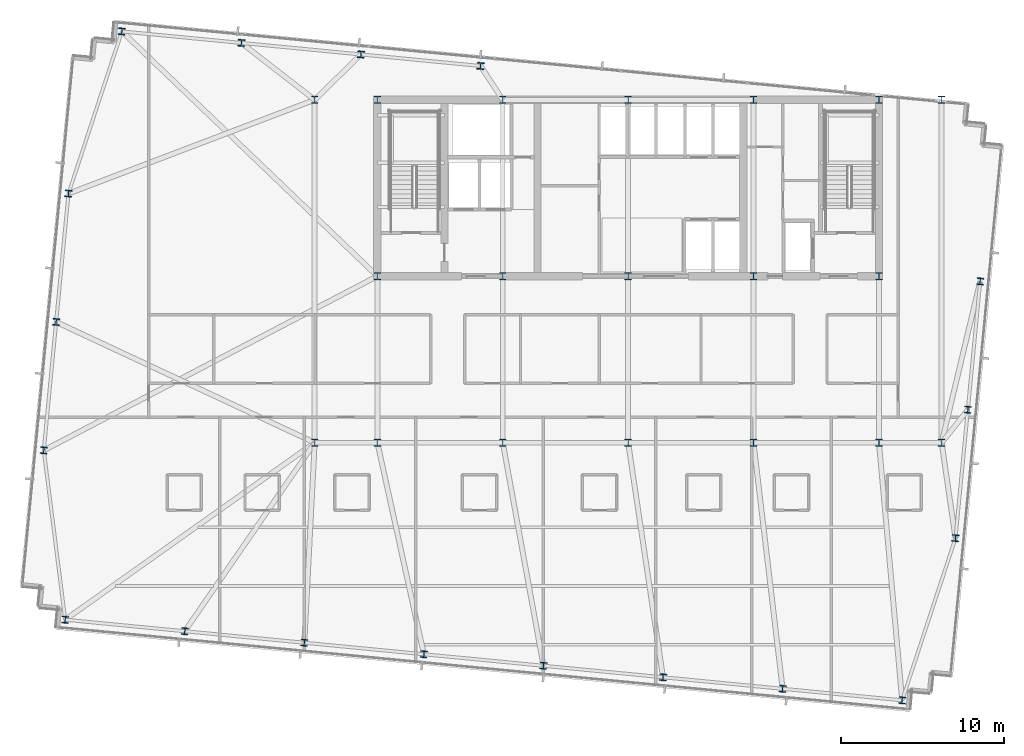
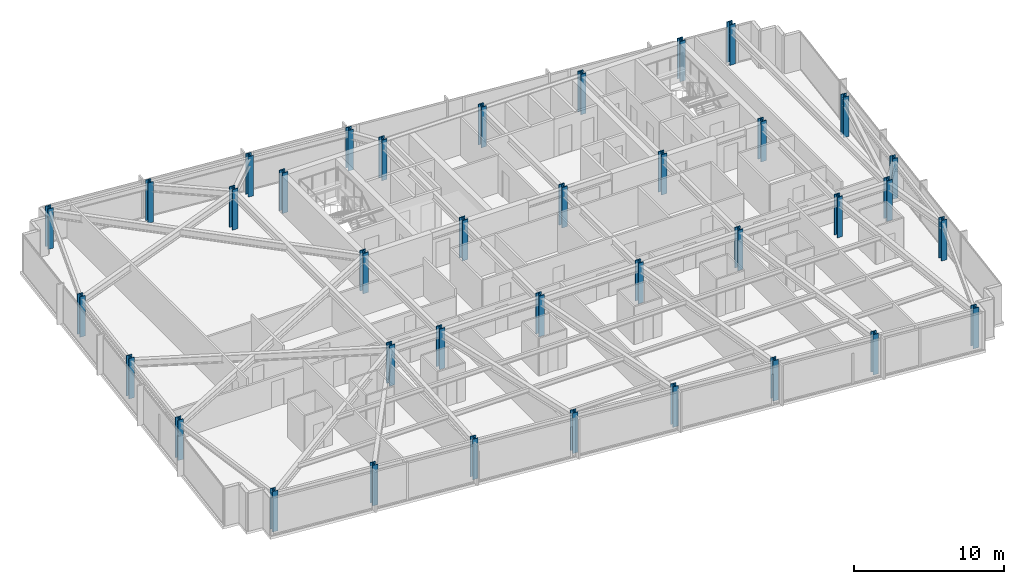
# One storey, part 1 of 38: 37 columns.
"""IFC4 building model written with IfcOpenShell, lengths in metres."""

import ifcopenshell
import ifcopenshell.guid

model = None  # the IFC model being written
_history = None  # IfcOwnerHistory: only IFC2X3 demands one
_inside = {}  # id of a spatial element -> (the spatial element, [elements in it])
_under = {}  # id of a project, library or spatial element -> (it, [spatial elements below it])
_declared = {}  # id of a project -> (the project, [libraries it declares])
_typed = {}  # id of a type object -> (the type object, [elements of that type])
_made_of = {}  # id of a material, layer set ... -> (it, [elements and type objects made of it])


def new_model(schema):
    """Start an empty IFC model of exactly this schema.

    Asked for "IFC4X3", IfcOpenShell would pick the latest addendum, in which some entities
    have other attributes; the version numbers below select the first issue.
    IFC2X3 requires an IfcOwnerHistory on every rooted entity: one is made here for all.
    """
    global model, _history
    if schema == "IFC4X3":
        model = ifcopenshell.file(schema_version=(4, 3, 0, 0))
    else:
        model = ifcopenshell.file(schema=schema)
    _inside.clear()
    _under.clear()
    _declared.clear()
    _typed.clear()
    _made_of.clear()
    _history = None
    if model.schema == "IFC2X3":
        org = make("IfcOrganization", Name="unknown")
        user = make(
            "IfcPersonAndOrganization",
            ThePerson=make("IfcPerson", FamilyName="unknown"),
            TheOrganization=org,
        )
        app = make(
            "IfcApplication",
            ApplicationDeveloper=org,
            Version="unknown",
            ApplicationFullName="unknown",
            ApplicationIdentifier="unknown",
        )
        _history = make(
            "IfcOwnerHistory",
            OwningUser=user,
            OwningApplication=app,
            ChangeAction="ADDED",
            CreationDate=0,
        )
    return model


def make(cls, **values):
    """One entity of the class cls with the attributes given. An attribute that is None is left unset."""
    return model.create_entity(
        cls, **{name: value for name, value in values.items() if value is not None}
    )


def rooted(cls, **values):
    """An entity with a GlobalId (a new one), such as an element, a storey or a relation."""
    return make(cls, GlobalId=ifcopenshell.guid.new(), OwnerHistory=_history, **values)


def si_unit(unit_type, name, prefix=None):
    """IfcSIUnit, for example si_unit("LENGTHUNIT", "METRE", prefix="MILLI")."""
    return make("IfcSIUnit", UnitType=unit_type, Prefix=prefix, Name=name)


def assignment(units):
    """IfcUnitAssignment: the units of a project."""
    return None if units is None else make("IfcUnitAssignment", Units=units)


def point(xyz):
    """IfcCartesianPoint."""
    return None if xyz is None else make("IfcCartesianPoint", Coordinates=xyz)


def direction(xyz):
    """IfcDirection."""
    return None if xyz is None else make("IfcDirection", DirectionRatios=xyz)


def frame(location, z_axis=None, x_axis=None):
    """IfcAxis2Placement3D, a coordinate frame: its origin and axes. An axis left out is left unset."""
    return make(
        "IfcAxis2Placement3D",
        Location=point(location),
        Axis=direction(z_axis),
        RefDirection=direction(x_axis),
    )


def frame_2d(location, x_axis=None):
    """IfcAxis2Placement2D, a coordinate frame in the plane: its origin and x axis."""
    return make(
        "IfcAxis2Placement2D", Location=point(location), RefDirection=direction(x_axis)
    )


def origin():
    """The frame at (0, 0, 0) with its axes left unset."""
    return frame((0.0, 0.0, 0.0))


def origin_2d():
    """The frame at (0, 0) in the plane with its x axis left unset."""
    return frame_2d((0.0, 0.0))


def place(relative_to, where):
    """IfcLocalPlacement: puts the frame where relative to a parent placement (None: the world)."""
    return make(
        "IfcLocalPlacement", PlacementRelTo=relative_to, RelativePlacement=where
    )


def context(
    kind, dimensions, precision=None, world=None, true_north=None, identifier=None
):
    """IfcGeometricRepresentationContext, for example the 3D "Model" context."""
    return make(
        "IfcGeometricRepresentationContext",
        ContextIdentifier=identifier,
        ContextType=kind,
        CoordinateSpaceDimension=dimensions,
        Precision=precision,
        WorldCoordinateSystem=world,
        TrueNorth=true_north,
    )


def subcontext(parent, identifier, kind, view, scale=None):
    """IfcGeometricRepresentationSubContext, for example "Body" below "Model"."""
    return make(
        "IfcGeometricRepresentationSubContext",
        ContextIdentifier=identifier,
        ContextType=kind,
        ParentContext=parent,
        TargetScale=scale,
        TargetView=view,
    )


def project(units=None, contexts=None):
    """IfcProject with its units and contexts."""
    return rooted(
        "IfcProject",
        Name="project",
        RepresentationContexts=contexts,
        UnitsInContext=assignment(units),
    )


def spatial(cls, under=None, at=None, **own):
    """A site, building, storey or space (cls), placed at a placement, below another one or the project."""
    s = rooted(cls, ObjectPlacement=at, **own)
    if under is not None:
        _under.setdefault(under.id(), (under, []))[1].append(s)
    return s


def profile(cls, at=None, kind="AREA", **sizes):
    """A parametric profile (cls). Its sizes go by their IFC names, for example OverallWidth=200.0."""
    return make(cls, ProfileType=kind, Position=at, **sizes)


def i_section(**sizes):
    """IfcIShapeProfileDef."""
    return profile("IfcIShapeProfileDef", **sizes)


def extrude(swept, where, along, depth):
    """IfcExtrudedAreaSolid: the profile swept, set in the frame where, extruded along a direction by depth."""
    return make(
        "IfcExtrudedAreaSolid",
        SweptArea=swept,
        Position=where,
        ExtrudedDirection=direction(along),
        Depth=depth,
    )


def shape(context_of_items, identifier, shape_type, items):
    """IfcShapeRepresentation: the items that make up one representation, for example the "Body"."""
    return make(
        "IfcShapeRepresentation",
        ContextOfItems=context_of_items,
        RepresentationIdentifier=identifier,
        RepresentationType=shape_type,
        Items=items,
    )


def material(Name=None, Category=None):
    """IfcMaterial."""
    return make("IfcMaterial", Name=Name, Category=Category)


def material_profile(
    of_material, cross_section, Name=None, Category=None, Priority=None
):
    """IfcMaterialProfile: a cross section and its material."""
    return make(
        "IfcMaterialProfile",
        Name=Name,
        Material=of_material,
        Profile=cross_section,
        Priority=Priority,
        Category=Category,
    )


def profile_set(profiles, Name=None, composite=None):
    """IfcMaterialProfileSet."""
    return make(
        "IfcMaterialProfileSet",
        Name=Name,
        MaterialProfiles=profiles,
        CompositeProfile=composite,
    )


def made_of(thing, what):
    """Note that an element or type object is made of a material, layer set ...; save() writes the relation."""
    if what is not None:
        _made_of.setdefault(what.id(), (what, []))[1].append(thing)
    return thing


def type_object(cls, material=None, **own):
    """A type object (cls), such as IfcWallType, which elements share."""
    return made_of(rooted(cls, **own), material)


def element(
    cls,
    number,
    at=None,
    inside=None,
    cuts=None,
    type_object=None,
    material=None,
    context=None,
    identifier="Body",
    shape_type=None,
    held_by="IfcProductDefinitionShape",
    body=None,
    shapes=None,
    **own,
):
    """One element of the class cls, such as IfcWall. Its Tag is "e" and its number.

    at: its placement. inside: the storey or other place that contains it. cuts: it is an
    opening in that element (IfcRelVoidsElement). A single representation is given by context,
    identifier, shape_type and body (its items); several are given by shapes. held_by: the class
    of the entity that holds the representations. save() writes the other relations.
    """
    e = rooted(cls, Tag="e%d" % number, ObjectPlacement=at, **own)
    if body is not None:
        shapes = [shape(context, identifier, shape_type, body)]
    if shapes is not None:
        e.Representation = make(held_by, Representations=shapes)
    if inside is not None:
        _inside.setdefault(inside.id(), (inside, []))[1].append(e)
    if cuts is not None:
        rooted(
            "IfcRelVoidsElement", RelatingBuildingElement=cuts, RelatedOpeningElement=e
        )
    if type_object is not None:
        _typed.setdefault(type_object.id(), (type_object, []))[1].append(e)
    return made_of(e, material)


def aggregate(whole, parts):
    """IfcRelAggregates: a whole, such as a stair, and the parts it consists of."""
    return rooted("IfcRelAggregates", RelatingObject=whole, RelatedObjects=parts)


def save(model, path):
    """Write the relations noted so far, then the file.

    IfcRelAggregates (storeys below a building ...), IfcRelContainedInSpatialStructure (elements
    in a storey), IfcRelDefinesByType, IfcRelAssociatesMaterial and IfcRelDeclares: one each for
    every whole, place, type object, material and project.
    """
    for whole, parts in _under.values():
        aggregate(whole, parts)
    for where, things in _inside.values():
        rooted(
            "IfcRelContainedInSpatialStructure",
            RelatedElements=things,
            RelatingStructure=where,
        )
    for kind, things in _typed.values():
        rooted("IfcRelDefinesByType", RelatedObjects=things, RelatingType=kind)
    for what, things in _made_of.values():
        rooted("IfcRelAssociatesMaterial", RelatedObjects=things, RelatingMaterial=what)
    for by, libraries in _declared.values():
        rooted("IfcRelDeclares", RelatingContext=by, RelatedDefinitions=libraries)
    model.write(path)


model = new_model("IFC4")

# Units and contexts
model_context = context("Model", 3, precision=1e-05, world=origin(), true_north=direction((0.0, 1.0)))
body_context = subcontext(model_context, "Body", "Model", "MODEL_VIEW")
ifc_project = project(units=[si_unit("LENGTHUNIT", "METRE"), si_unit("AREAUNIT", "SQUARE_METRE"), si_unit("VOLUMEUNIT", "CUBIC_METRE"), si_unit("PLANEANGLEUNIT", "RADIAN"), si_unit("MASSUNIT", "GRAM", prefix="KILO")], contexts=[model_context])

# Site, building, storey
site_placement = place(None, origin())
site = spatial("IfcSite", under=ifc_project, at=site_placement, CompositionType="ELEMENT")
building_placement = place(site_placement, origin())
building = spatial("IfcBuilding", under=site, at=building_placement, Name="Yelkora Congress Tower", CompositionType="ELEMENT")
storey_placement = place(building_placement, frame((0.0, 0.0, 172.10009765625)))
storey = spatial("IfcBuildingStorey", under=building, at=storey_placement, Name="L47", CompositionType="ELEMENT", Elevation=172.10009765625)

# Columns
ifc_material = material(Name="Steel S460M", Category="steel")
ifc_material_profile_1 = material_profile(ifc_material, i_section(OverallWidth=0.406005859375, OverallDepth=0.416015625, WebThickness=0.02978515625, FlangeThickness=0.048095703125, FilletRadius=0.014892578125, at=origin_2d()), Name="HD 400x382")
ifc_profile_set_1 = profile_set([ifc_material_profile_1], Name="Steel S460M")
column_type_1 = type_object("IfcColumnType", Name="COL-HD-382-EXT", PredefinedType="COLUMN", material=ifc_profile_set_1)
for number, where, z_axis, x_axis, name in (
    (1, (3.919189453125, 14.357421875, 0.0), (0.0, 0.0, 1.0), (0.995396198367, -0.09584575252, 0.0), "L47 Perimeter Column S01"),
    (2, (11.242431640625, 13.652099609375, 0.0), (0.0, 0.0, 1.0), (0.995396198367, -0.09584575252, 0.0), "L47 Perimeter Column S02"),
    (3, (18.56591796875, 12.947021484375, 0.0), (0.0, 0.0, 1.0), (0.995396198367, -0.09584575252, 0.0), "L47 Perimeter Column S03"),
    (4, (25.888916015625, 12.24169921875, 0.0), (0.0, 0.0, 1.0), (0.995396198367, -0.09584575252, 0.0), "L47 Perimeter Column S04"),
    (5, (33.21240234375, 11.53662109375, 0.0), (0.0, 0.0, 1.0), (0.995396198367, -0.09584575252, 0.0), "L47 Perimeter Column S05"),
    (6, (40.53564453125, 10.83154296875, 0.0), (0.0, 0.0, 1.0), (0.995396198367, -0.09584575252, 0.0), "L47 Perimeter Column S06"),
    (7, (47.85888671875, 10.12646484375, 0.0), (0.0, 0.0, 1.0), (0.995396198367, -0.09584575252, 0.0), "L47 Perimeter Column S07"),
    (8, (55.18212890625, 9.421142578125, 0.0), (0.0, 0.0, 1.0), (0.995396198367, -0.09584575252, 0.0), "L47 Perimeter Column S08"),
    (9, (7.388916015625, 50.390625, 0.0), (0.0, 0.0, 1.0), (0.995396198367, -0.09584575252, 0.0), "L47 Perimeter Column N01"),
    (10, (14.712158203125, 49.685546875, 0.0), (0.0, 0.0, 1.0), (0.995396198367, -0.09584575252, 0.0), "L47 Perimeter Column N02"),
    (11, (22.035400390625, 48.980224609375, 0.0), (0.0, 0.0, 1.0), (0.995396198367, -0.09584575252, 0.0), "L47 Perimeter Column N03"),
    (12, (29.358642578125, 48.275146484375, 0.0), (0.0, 0.0, 1.0), (0.995396198367, -0.09584575252, 0.0), "L47 Perimeter Column N04"),
    (13, (2.607421875, 24.730712890625, 0.0), (0.0, 0.0, 1.0), (0.995396198367, -0.09584575252, 0.0), "L47 Perimeter Column W01"),
    (14, (58.44921875, 19.353759765625, 0.0), (0.0, 0.0, 1.0), (0.995396198367, -0.09584575252, 0.0), "L47 Perimeter Column E01"),
    (15, (3.364501953125, 32.594482421875, 0.0), (0.0, 0.0, 1.0), (0.995396198367, -0.09584575252, 0.0), "L47 Perimeter Column W02"),
    (16, (59.206298828125, 27.217529296875, 0.0), (0.0, 0.0, 1.0), (0.995396198367, -0.09584575252, 0.0), "L47 Perimeter Column E02"),
    (17, (4.121826171875, 40.4580078125, 0.0), (0.0, 0.0, 1.0), (0.995396198367, -0.09584575252, 0.0), "L47 Perimeter Column W03"),
    (18, (59.96337890625, 35.0810546875, 0.0), (0.0, 0.0, 1.0), (0.995396198367, -0.09584575252, 0.0), "L47 Perimeter Column E03"),
):
    element("IfcColumn", number, at=place(storey_placement, frame(where, z_axis=z_axis, x_axis=x_axis)), inside=storey, type_object=column_type_1, Name=name, PredefinedType="COLUMN", context=body_context, shape_type="SweptSolid", body=[
        extrude(i_section(OverallWidth=0.406005859375, OverallDepth=0.416015625, WebThickness=0.02978515625, FlangeThickness=0.048095703125, FilletRadius=0.014892578125, at=origin_2d()), origin(), (0.0, 0.0, 1.0), 3.2998046875),
    ])
ifc_material_profile_2 = material_profile(ifc_material, i_section(OverallWidth=0.41796875, OverallDepth=0.455078125, WebThickness=0.0419921875, FlangeThickness=0.068115234375, FilletRadius=0.014892578125, at=origin_2d()), Name="HD 400x551")
ifc_profile_set_2 = profile_set([ifc_material_profile_2], Name="Steel S460M")
column_type_2 = type_object("IfcColumnType", Name="COL-HD-551", PredefinedType="COLUMN", material=ifc_profile_set_2)
for number, where, z_axis, x_axis, name in (
    (19, (23.0400390625, 35.39990234375, 0.0), (0.0, 0.0, 1.0), (1.0, 0.0, 0.0), "L47 Mega Column MC-S1"),
    (20, (23.0400390625, 46.199951171875, 0.0), (0.0, 0.0, 1.0), (1.0, 0.0, 0.0), "L47 Mega Column MC-N1"),
    (21, (23.0400390625, 25.199951171875, 0.0), (0.0, 0.0, 1.0), (1.0, 0.0, 0.0), "L47 Mega Column MC-D1"),
    (22, (30.719970703125, 35.39990234375, 0.0), (0.0, 0.0, 1.0), (1.0, 0.0, 0.0), "L47 Mega Column MC-S2"),
    (23, (30.719970703125, 46.199951171875, 0.0), (0.0, 0.0, 1.0), (1.0, 0.0, 0.0), "L47 Mega Column MC-N2"),
    (24, (30.719970703125, 25.199951171875, 0.0), (0.0, 0.0, 1.0), (1.0, 0.0, 0.0), "L47 Mega Column MC-D2"),
    (25, (38.39990234375, 35.39990234375, 0.0), (0.0, 0.0, 1.0), (1.0, 0.0, 0.0), "L47 Mega Column MC-S3"),
    (26, (38.39990234375, 46.199951171875, 0.0), (0.0, 0.0, 1.0), (1.0, 0.0, 0.0), "L47 Mega Column MC-N3"),
    (27, (38.39990234375, 25.199951171875, 0.0), (0.0, 0.0, 1.0), (1.0, 0.0, 0.0), "L47 Mega Column MC-D3"),
    (28, (46.080078125, 35.39990234375, 0.0), (0.0, 0.0, 1.0), (1.0, 0.0, 0.0), "L47 Mega Column MC-S4"),
    (29, (46.080078125, 46.199951171875, 0.0), (0.0, 0.0, 1.0), (1.0, 0.0, 0.0), "L47 Mega Column MC-N4"),
    (30, (46.080078125, 25.199951171875, 0.0), (0.0, 0.0, 1.0), (1.0, 0.0, 0.0), "L47 Mega Column MC-D4"),
    (31, (53.760009765625, 35.39990234375, 0.0), (0.0, 0.0, 1.0), (1.0, 0.0, 0.0), "L47 Mega Column MC-S5"),
    (32, (53.760009765625, 46.199951171875, 0.0), (0.0, 0.0, 1.0), (1.0, 0.0, 0.0), "L47 Mega Column MC-N5"),
    (33, (53.760009765625, 25.199951171875, 0.0), (0.0, 0.0, 1.0), (1.0, 0.0, 0.0), "L47 Mega Column MC-D5"),
    (34, (19.199951171875, 25.199951171875, 0.0), (0.0, 0.0, 1.0), (1.0, 0.0, 0.0), "L47 Mega Column MC-F1"),
    (35, (57.60009765625, 25.199951171875, 0.0), (0.0, 0.0, 1.0), (1.0, 0.0, 0.0), "L47 Mega Column MC-F2"),
    (36, (19.199951171875, 46.199951171875, 0.0), (0.0, 0.0, 1.0), (1.0, 0.0, 0.0), "L47 Mega Column MC-F3"),
    (37, (57.60009765625, 46.199951171875, 0.0), (0.0, 0.0, 1.0), (1.0, 0.0, 0.0), "L47 Mega Column MC-F4"),
):
    element("IfcColumn", number, at=place(storey_placement, frame(where, z_axis=z_axis, x_axis=x_axis)), inside=storey, type_object=column_type_2, Name=name, PredefinedType="COLUMN", context=body_context, shape_type="SweptSolid", body=[
        extrude(i_section(OverallWidth=0.41796875, OverallDepth=0.455078125, WebThickness=0.0419921875, FlangeThickness=0.068115234375, FilletRadius=0.014892578125, at=origin_2d()), origin(), (0.0, 0.0, 1.0), 3.2998046875),
    ])

save(model, "model.ifc")
